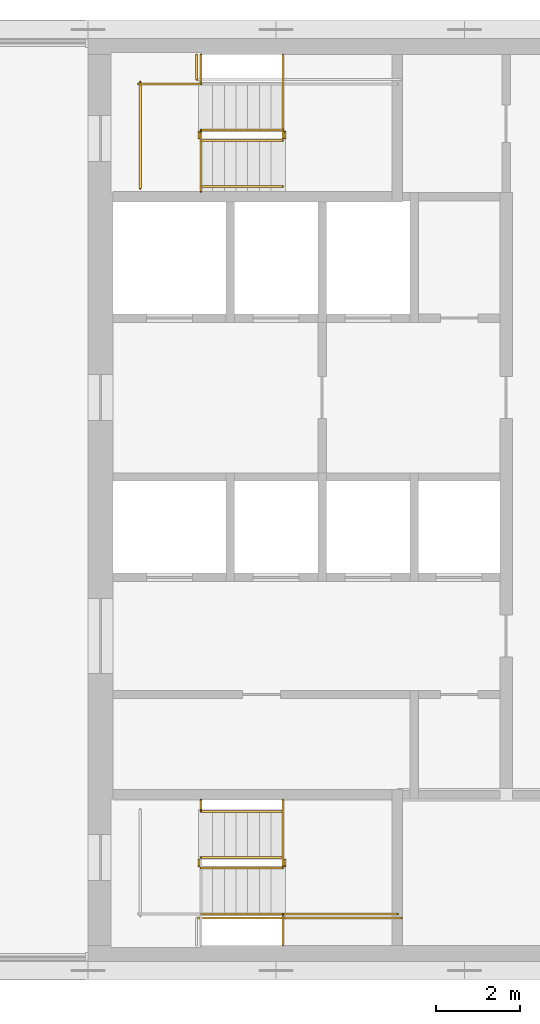
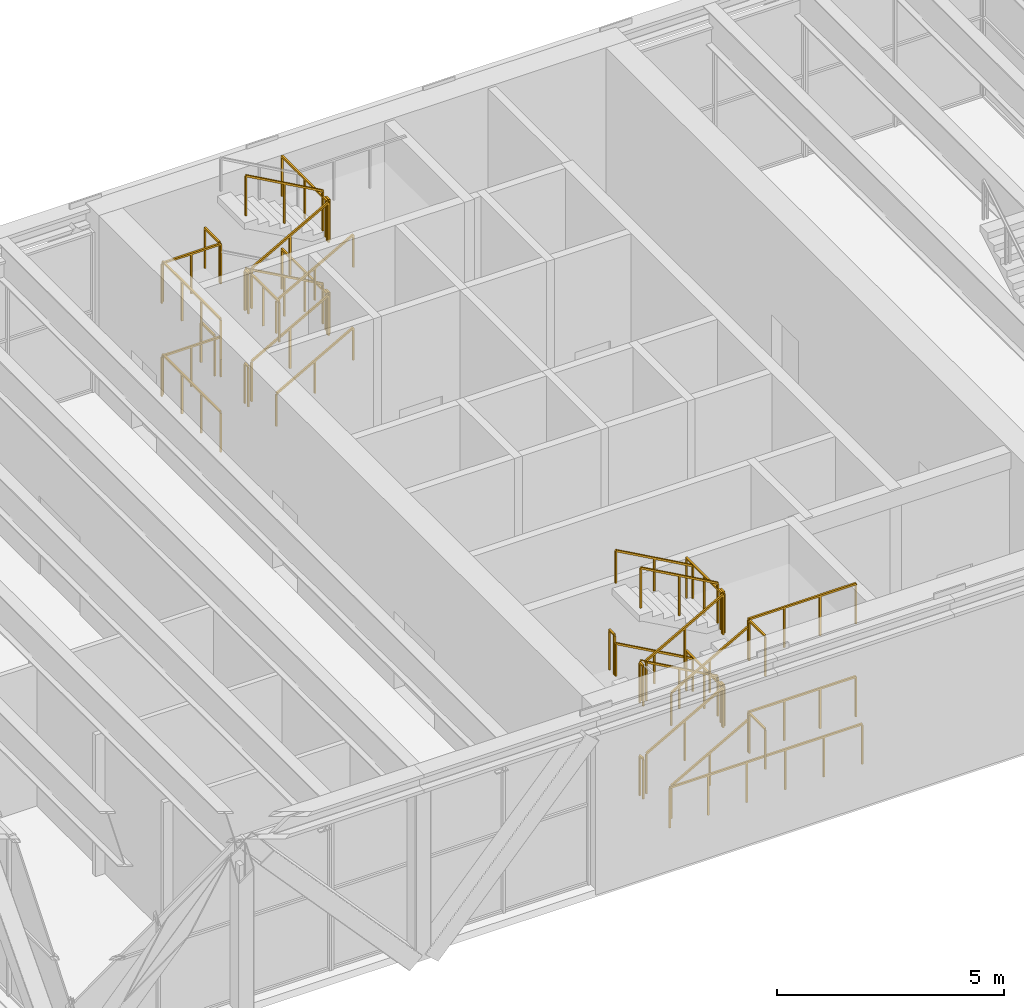
# One storey, part 11 of 13: 39 railings.
"""IFC4 building model written with IfcOpenShell, lengths in metres."""

from ifc_helpers import new_model, si_unit, direction, frame, origin, origin_2d, place, context, subcontext, project, spatial, rectangle, extrude, material, type_object, element, save


model = new_model("IFC4")

# Units and contexts
model_context = context("Model", 3, precision=1e-05, world=origin(), true_north=direction((0.0, 1.0)))
body_context = subcontext(model_context, "Body", "Model", "MODEL_VIEW")
ifc_project = project(units=[si_unit("LENGTHUNIT", "METRE"), si_unit("AREAUNIT", "SQUARE_METRE"), si_unit("VOLUMEUNIT", "CUBIC_METRE"), si_unit("PLANEANGLEUNIT", "RADIAN"), si_unit("MASSUNIT", "GRAM", prefix="KILO")], contexts=[model_context])

# Site, building, storey
site_placement = place(None, origin())
site = spatial("IfcSite", under=ifc_project, at=site_placement, CompositionType="ELEMENT")
building_placement = place(site_placement, origin())
building = spatial("IfcBuilding", under=site, at=building_placement, Name="Sennacour Bend Tower", CompositionType="ELEMENT")
storey_placement = place(building_placement, frame((0.0, 0.0, 345.5)))
storey = spatial("IfcBuildingStorey", under=building, at=storey_placement, Name="L79", CompositionType="ELEMENT", Elevation=345.5)

# Railings
ifc_material = material(Name="Stainless steel", Category="steel")
railing_type_1 = type_object("IfcRailingType", Name="RL-GUARD-1100", PredefinedType="GUARDRAIL", material=ifc_material)
railing_1_placement = place(storey_placement, frame((56.699951171875, 2.449951171875, 0.15625)))
element("IfcRailing", 1, at=railing_1_placement, inside=storey, type_object=railing_type_1, Name="L79 SA1 stair guard 1", PredefinedType="GUARDRAIL", context=body_context, shape_type="SweptSolid", body=[
    extrude(rectangle(XDim=0.048095703125, YDim=0.048095703125, at=origin_2d()), frame((0.0, 0.0, 1.076171875), z_axis=(0.873232148454, 0.0, 0.487304437602), x_axis=(0.0, 1.0, 0.0)), (0.0, 0.0, 1.0), 2.244384765625),
    extrude(rectangle(XDim=0.0419921875, YDim=0.0419921875, at=origin_2d()), origin(), (0.0, 0.0, 1.0), 1.052001953125),
    extrude(rectangle(XDim=0.0419921875, YDim=0.0419921875, at=origin_2d()), frame((0.97998046875, 0.0, 0.546875)), (0.0, 0.0, 1.0), 1.052001953125),
    extrude(rectangle(XDim=0.0419921875, YDim=0.0419921875, at=origin_2d()), frame((1.9599609375, 0.0, 1.09375)), (0.0, 0.0, 1.0), 1.052001953125),
])
railing_2_placement = place(storey_placement, frame((58.7099609375, 2.5, 1.25)))
element("IfcRailing", 2, at=railing_2_placement, inside=storey, type_object=railing_type_1, Name="L79 SA1 stair guard 2", PredefinedType="GUARDRAIL", context=body_context, shape_type="SweptSolid", body=[
    extrude(rectangle(XDim=0.048095703125, YDim=0.048095703125, at=origin_2d()), frame((0.0, 0.0, 1.076171875), z_axis=(0.0, 1.0, 0.0), x_axis=(-1.0, 0.0, 0.0)), (0.0, 0.0, 1.0), 0.14990234375),
    extrude(rectangle(XDim=0.0419921875, YDim=0.0419921875, at=origin_2d()), origin(), (0.0, 0.0, 1.0), 1.052001953125),
    extrude(rectangle(XDim=0.0419921875, YDim=0.0419921875, at=origin_2d()), frame((0.0, 0.14990234375, 0.0)), (0.0, 0.0, 1.0), 1.052001953125),
])
railing_3_placement = place(storey_placement, frame((58.659912109375, 1.35009765625, 1.25)))
element("IfcRailing", 3, at=railing_3_placement, inside=storey, type_object=railing_type_1, Name="L79 SA1 stair guard 3", PredefinedType="GUARDRAIL", context=body_context, shape_type="SweptSolid", body=[
    extrude(rectangle(XDim=0.048095703125, YDim=0.048095703125, at=origin_2d()), frame((0.0, 0.0, 1.076171875), z_axis=(1.0, 0.0, 0.0), x_axis=(0.0, 1.0, 0.0)), (0.0, 0.0, 1.0), 2.739990234375),
    extrude(rectangle(XDim=0.0419921875, YDim=0.0419921875, at=origin_2d()), origin(), (0.0, 0.0, 1.0), 1.052001953125),
    extrude(rectangle(XDim=0.0419921875, YDim=0.0419921875, at=origin_2d()), frame((0.913330078125, 0.0, 0.0)), (0.0, 0.0, 1.0), 1.052001953125),
    extrude(rectangle(XDim=0.0419921875, YDim=0.0419921875, at=origin_2d()), frame((1.82666015625, 0.0, 0.0)), (0.0, 0.0, 1.0), 1.052001953125),
    extrude(rectangle(XDim=0.0419921875, YDim=0.0419921875, at=origin_2d()), frame((2.739990234375, 0.0, 0.0)), (0.0, 0.0, 1.0), 1.052001953125),
])
railing_4_placement = place(storey_placement, frame((58.659912109375, 2.699951171875, 1.40625)))
element("IfcRailing", 4, at=railing_4_placement, inside=storey, type_object=railing_type_1, Name="L79 SA1 stair guard 4", PredefinedType="GUARDRAIL", context=body_context, shape_type="SweptSolid", body=[
    extrude(rectangle(XDim=0.048095703125, YDim=0.048095703125, at=origin_2d()), frame((0.0, 0.0, 1.076171875), z_axis=(-0.873232148454, 0.0, 0.487304437602), x_axis=(0.0, -1.0, 0.0)), (0.0, 0.0, 1.0), 2.244384765625),
    extrude(rectangle(XDim=0.0419921875, YDim=0.0419921875, at=origin_2d()), origin(), (0.0, 0.0, 1.0), 1.052001953125),
    extrude(rectangle(XDim=0.0419921875, YDim=0.0419921875, at=origin_2d()), frame((-0.97998046875, 0.0, 0.546875)), (0.0, 0.0, 1.0), 1.052001953125),
    extrude(rectangle(XDim=0.0419921875, YDim=0.0419921875, at=origin_2d()), frame((-1.9599609375, 0.0, 1.09375)), (0.0, 0.0, 1.0), 1.052001953125),
])
railing_5_placement = place(storey_placement, frame((56.64990234375, 2.5, 2.5)))
element("IfcRailing", 5, at=railing_5_placement, inside=storey, type_object=railing_type_1, Name="L79 SA1 stair guard 5", PredefinedType="GUARDRAIL", context=body_context, shape_type="SweptSolid", body=[
    extrude(rectangle(XDim=0.048095703125, YDim=0.048095703125, at=origin_2d()), frame((0.0, 0.0, 1.076171875), z_axis=(0.0, 1.0, 0.0), x_axis=(-1.0, 0.0, 0.0)), (0.0, 0.0, 1.0), 0.14990234375),
    extrude(rectangle(XDim=0.0419921875, YDim=0.0419921875, at=origin_2d()), origin(), (0.0, 0.0, 1.0), 1.052001953125),
    extrude(rectangle(XDim=0.0419921875, YDim=0.0419921875, at=origin_2d()), frame((0.0, 0.14990234375, 0.0)), (0.0, 0.0, 1.0), 1.052001953125),
])
railing_6_placement = place(storey_placement, frame((56.699951171875, 2.449951171875, 2.65625)))
element("IfcRailing", 6, at=railing_6_placement, inside=storey, type_object=railing_type_1, Name="L79 SA1 stair guard 8", PredefinedType="GUARDRAIL", context=body_context, shape_type="SweptSolid", body=[
    extrude(rectangle(XDim=0.048095703125, YDim=0.048095703125, at=origin_2d()), frame((0.0, 0.0, 1.076171875), z_axis=(0.873232148454, 0.0, 0.487304437602), x_axis=(0.0, 1.0, 0.0)), (0.0, 0.0, 1.0), 2.244384765625),
    extrude(rectangle(XDim=0.0419921875, YDim=0.0419921875, at=origin_2d()), origin(), (0.0, 0.0, 1.0), 1.052001953125),
    extrude(rectangle(XDim=0.0419921875, YDim=0.0419921875, at=origin_2d()), frame((0.97998046875, 0.0, 0.546875)), (0.0, 0.0, 1.0), 1.052001953125),
    extrude(rectangle(XDim=0.0419921875, YDim=0.0419921875, at=origin_2d()), frame((1.9599609375, 0.0, 1.09375)), (0.0, 0.0, 1.0), 1.052001953125),
])
railing_7_placement = place(storey_placement, frame((58.7099609375, 2.5, 3.75)))
element("IfcRailing", 7, at=railing_7_placement, inside=storey, type_object=railing_type_1, Name="L79 SA1 stair guard 9", PredefinedType="GUARDRAIL", context=body_context, shape_type="SweptSolid", body=[
    extrude(rectangle(XDim=0.048095703125, YDim=0.048095703125, at=origin_2d()), frame((0.0, 0.0, 1.076171875), z_axis=(0.0, 1.0, 0.0), x_axis=(-1.0, 0.0, 0.0)), (0.0, 0.0, 1.0), 0.14990234375),
    extrude(rectangle(XDim=0.0419921875, YDim=0.0419921875, at=origin_2d()), origin(), (0.0, 0.0, 1.0), 1.052001953125),
    extrude(rectangle(XDim=0.0419921875, YDim=0.0419921875, at=origin_2d()), frame((0.0, 0.14990234375, 0.0)), (0.0, 0.0, 1.0), 1.052001953125),
])
railing_8_placement = place(storey_placement, frame((58.659912109375, 1.35009765625, 3.75)))
element("IfcRailing", 8, at=railing_8_placement, inside=storey, type_object=railing_type_1, Name="L79 SA1 stair guard 10", PredefinedType="GUARDRAIL", context=body_context, shape_type="SweptSolid", body=[
    extrude(rectangle(XDim=0.048095703125, YDim=0.048095703125, at=origin_2d()), frame((0.0, 0.0, 1.076171875), z_axis=(1.0, 0.0, 0.0), x_axis=(0.0, 1.0, 0.0)), (0.0, 0.0, 1.0), 2.739990234375),
    extrude(rectangle(XDim=0.0419921875, YDim=0.0419921875, at=origin_2d()), origin(), (0.0, 0.0, 1.0), 1.052001953125),
    extrude(rectangle(XDim=0.0419921875, YDim=0.0419921875, at=origin_2d()), frame((0.913330078125, 0.0, 0.0)), (0.0, 0.0, 1.0), 1.052001953125),
    extrude(rectangle(XDim=0.0419921875, YDim=0.0419921875, at=origin_2d()), frame((1.82666015625, 0.0, 0.0)), (0.0, 0.0, 1.0), 1.052001953125),
    extrude(rectangle(XDim=0.0419921875, YDim=0.0419921875, at=origin_2d()), frame((2.739990234375, 0.0, 0.0)), (0.0, 0.0, 1.0), 1.052001953125),
])
railing_9_placement = place(storey_placement, frame((58.659912109375, 2.699951171875, 3.90625)))
element("IfcRailing", 9, at=railing_9_placement, inside=storey, type_object=railing_type_1, Name="L79 SA1 stair guard 11", PredefinedType="GUARDRAIL", context=body_context, shape_type="SweptSolid", body=[
    extrude(rectangle(XDim=0.048095703125, YDim=0.048095703125, at=origin_2d()), frame((0.0, 0.0, 1.076171875), z_axis=(-0.873232148454, 0.0, 0.487304437602), x_axis=(0.0, -1.0, 0.0)), (0.0, 0.0, 1.0), 2.244384765625),
    extrude(rectangle(XDim=0.0419921875, YDim=0.0419921875, at=origin_2d()), origin(), (0.0, 0.0, 1.0), 1.052001953125),
    extrude(rectangle(XDim=0.0419921875, YDim=0.0419921875, at=origin_2d()), frame((-0.97998046875, 0.0, 0.546875)), (0.0, 0.0, 1.0), 1.052001953125),
    extrude(rectangle(XDim=0.0419921875, YDim=0.0419921875, at=origin_2d()), frame((-1.9599609375, 0.0, 1.09375)), (0.0, 0.0, 1.0), 1.052001953125),
])
railing_10_placement = place(storey_placement, frame((56.64990234375, 2.5, 0.0)))
element("IfcRailing", 10, at=railing_10_placement, inside=storey, type_object=railing_type_1, Name="L79 SA1 stair guard 12", PredefinedType="GUARDRAIL", context=body_context, shape_type="SweptSolid", body=[
    extrude(rectangle(XDim=0.048095703125, YDim=0.048095703125, at=origin_2d()), frame((0.0, 0.0, 1.076171875), z_axis=(0.0, 1.0, 0.0), x_axis=(-1.0, 0.0, 0.0)), (0.0, 0.0, 1.0), 0.14990234375),
    extrude(rectangle(XDim=0.0419921875, YDim=0.0419921875, at=origin_2d()), origin(), (0.0, 0.0, 1.0), 1.052001953125),
    extrude(rectangle(XDim=0.0419921875, YDim=0.0419921875, at=origin_2d()), frame((0.0, 0.14990234375, 0.0)), (0.0, 0.0, 1.0), 1.052001953125),
])
railing_11_placement = place(storey_placement, frame((56.60009765625, 1.25, 0.0)))
element("IfcRailing", 11, at=railing_11_placement, inside=storey, type_object=railing_type_1, Name="L79 SA1 stair guard 15", PredefinedType="GUARDRAIL", context=body_context, shape_type="SweptSolid", body=[
    extrude(rectangle(XDim=0.048095703125, YDim=0.048095703125, at=origin_2d()), frame((0.0, 0.0, 1.076171875), z_axis=(1.0, 0.0, 0.0), x_axis=(0.0, 1.0, 0.0)), (0.0, 0.0, 1.0), 4.89990234375),
    extrude(rectangle(XDim=0.0419921875, YDim=0.0419921875, at=origin_2d()), origin(), (0.0, 0.0, 1.0), 1.052001953125),
    extrude(rectangle(XDim=0.0419921875, YDim=0.0419921875, at=origin_2d()), frame((0.97998046875, 0.0, 0.0)), (0.0, 0.0, 1.0), 1.052001953125),
    extrude(rectangle(XDim=0.0419921875, YDim=0.0419921875, at=origin_2d()), frame((1.9599609375, 0.0, 0.0)), (0.0, 0.0, 1.0), 1.052001953125),
    extrude(rectangle(XDim=0.0419921875, YDim=0.0419921875, at=origin_2d()), frame((2.93994140625, 0.0, 0.0)), (0.0, 0.0, 1.0), 1.052001953125),
    extrude(rectangle(XDim=0.0419921875, YDim=0.0419921875, at=origin_2d()), frame((3.919921875, 0.0, 0.0)), (0.0, 0.0, 1.0), 1.052001953125),
    extrude(rectangle(XDim=0.0419921875, YDim=0.0419921875, at=origin_2d()), frame((4.89990234375, 0.0, 0.0)), (0.0, 0.0, 1.0), 1.052001953125),
])
railing_12_placement = place(storey_placement, frame((58.659912109375, 0.60009765625, 1.25)))
element("IfcRailing", 12, at=railing_12_placement, inside=storey, type_object=railing_type_1, Name="L79 SA1 landing edge guard 131", PredefinedType="GUARDRAIL", context=body_context, shape_type="SweptSolid", body=[
    extrude(rectangle(XDim=0.048095703125, YDim=0.048095703125, at=origin_2d()), frame((0.0, 0.0, 1.076171875), z_axis=(0.0, 1.0, 0.0), x_axis=(-1.0, 0.0, 0.0)), (0.0, 0.0, 1.0), 0.699951171875),
    extrude(rectangle(XDim=0.0419921875, YDim=0.0419921875, at=origin_2d()), origin(), (0.0, 0.0, 1.0), 1.052001953125),
    extrude(rectangle(XDim=0.0419921875, YDim=0.0419921875, at=origin_2d()), frame((0.0, 0.699951171875, 0.0)), (0.0, 0.0, 1.0), 1.052001953125),
])
railing_13_placement = place(storey_placement, frame((58.659912109375, 2.5, 1.25)))
element("IfcRailing", 13, at=railing_13_placement, inside=storey, type_object=railing_type_1, Name="L79 SA1 landing edge guard 132", PredefinedType="GUARDRAIL", context=body_context, shape_type="SweptSolid", body=[
    extrude(rectangle(XDim=0.048095703125, YDim=0.048095703125, at=origin_2d()), frame((0.0, 0.0, 1.076171875), z_axis=(0.0, 1.0, 0.0), x_axis=(-1.0, 0.0, 0.0)), (0.0, 0.0, 1.0), 1.574951171875),
    extrude(rectangle(XDim=0.0419921875, YDim=0.0419921875, at=origin_2d()), origin(), (0.0, 0.0, 1.0), 1.052001953125),
    extrude(rectangle(XDim=0.0419921875, YDim=0.0419921875, at=origin_2d()), frame((0.0, 0.78759765625, 0.0)), (0.0, 0.0, 1.0), 1.052001953125),
    extrude(rectangle(XDim=0.0419921875, YDim=0.0419921875, at=origin_2d()), frame((0.0, 1.574951171875, 0.0)), (0.0, 0.0, 1.0), 1.052001953125),
])
railing_14_placement = place(storey_placement, frame((56.699951171875, 4.074951171875, 2.5)))
element("IfcRailing", 14, at=railing_14_placement, inside=storey, type_object=railing_type_1, Name="L79 SA1 landing edge guard 133", PredefinedType="GUARDRAIL", context=body_context, shape_type="SweptSolid", body=[
    extrude(rectangle(XDim=0.048095703125, YDim=0.048095703125, at=origin_2d()), frame((0.0, 0.0, 1.076171875), z_axis=(0.0, -1.0, 0.0), x_axis=(1.0, 0.0, 0.0)), (0.0, 0.0, 1.0), 0.224853515625),
    extrude(rectangle(XDim=0.0419921875, YDim=0.0419921875, at=origin_2d()), origin(), (0.0, 0.0, 1.0), 1.052001953125),
    extrude(rectangle(XDim=0.0419921875, YDim=0.0419921875, at=origin_2d()), frame((0.0, -0.224853515625, 0.0)), (0.0, 0.0, 1.0), 1.052001953125),
])
railing_15_placement = place(storey_placement, frame((58.659912109375, 0.60009765625, 3.75)))
element("IfcRailing", 15, at=railing_15_placement, inside=storey, type_object=railing_type_1, Name="L79 SA1 landing edge guard 135", PredefinedType="GUARDRAIL", context=body_context, shape_type="SweptSolid", body=[
    extrude(rectangle(XDim=0.048095703125, YDim=0.048095703125, at=origin_2d()), frame((0.0, 0.0, 1.076171875), z_axis=(0.0, 1.0, 0.0), x_axis=(-1.0, 0.0, 0.0)), (0.0, 0.0, 1.0), 0.699951171875),
    extrude(rectangle(XDim=0.0419921875, YDim=0.0419921875, at=origin_2d()), origin(), (0.0, 0.0, 1.0), 1.052001953125),
    extrude(rectangle(XDim=0.0419921875, YDim=0.0419921875, at=origin_2d()), frame((0.0, 0.699951171875, 0.0)), (0.0, 0.0, 1.0), 1.052001953125),
])
railing_16_placement = place(storey_placement, frame((58.659912109375, 2.5, 3.75)))
element("IfcRailing", 16, at=railing_16_placement, inside=storey, type_object=railing_type_1, Name="L79 SA1 landing edge guard 136", PredefinedType="GUARDRAIL", context=body_context, shape_type="SweptSolid", body=[
    extrude(rectangle(XDim=0.048095703125, YDim=0.048095703125, at=origin_2d()), frame((0.0, 0.0, 1.076171875), z_axis=(0.0, 1.0, 0.0), x_axis=(-1.0, 0.0, 0.0)), (0.0, 0.0, 1.0), 1.574951171875),
    extrude(rectangle(XDim=0.0419921875, YDim=0.0419921875, at=origin_2d()), origin(), (0.0, 0.0, 1.0), 1.052001953125),
    extrude(rectangle(XDim=0.0419921875, YDim=0.0419921875, at=origin_2d()), frame((0.0, 0.78759765625, 0.0)), (0.0, 0.0, 1.0), 1.052001953125),
    extrude(rectangle(XDim=0.0419921875, YDim=0.0419921875, at=origin_2d()), frame((0.0, 1.574951171875, 0.0)), (0.0, 0.0, 1.0), 1.052001953125),
])
railing_17_placement = place(storey_placement, frame((56.699951171875, 19.85009765625, 0.15625)))
element("IfcRailing", 17, at=railing_17_placement, inside=storey, type_object=railing_type_1, Name="L79 SA2 stair guard 1", PredefinedType="GUARDRAIL", context=body_context, shape_type="SweptSolid", body=[
    extrude(rectangle(XDim=0.048095703125, YDim=0.048095703125, at=origin_2d()), frame((0.0, 0.0, 1.076171875), z_axis=(0.873232148454, 0.0, 0.487304437602), x_axis=(0.0, 1.0, 0.0)), (0.0, 0.0, 1.0), 2.244384765625),
    extrude(rectangle(XDim=0.0419921875, YDim=0.0419921875, at=origin_2d()), origin(), (0.0, 0.0, 1.0), 1.052001953125),
    extrude(rectangle(XDim=0.0419921875, YDim=0.0419921875, at=origin_2d()), frame((0.97998046875, 0.0, 0.546875)), (0.0, 0.0, 1.0), 1.052001953125),
    extrude(rectangle(XDim=0.0419921875, YDim=0.0419921875, at=origin_2d()), frame((1.9599609375, 0.0, 1.09375)), (0.0, 0.0, 1.0), 1.052001953125),
])
railing_18_placement = place(storey_placement, frame((58.7099609375, 19.89990234375, 1.25)))
element("IfcRailing", 18, at=railing_18_placement, inside=storey, type_object=railing_type_1, Name="L79 SA2 stair guard 2", PredefinedType="GUARDRAIL", context=body_context, shape_type="SweptSolid", body=[
    extrude(rectangle(XDim=0.048095703125, YDim=0.048095703125, at=origin_2d()), frame((0.0, 0.0, 1.076171875), z_axis=(0.0, 1.0, 0.0), x_axis=(-1.0, 0.0, 0.0)), (0.0, 0.0, 1.0), 0.150146484375),
    extrude(rectangle(XDim=0.0419921875, YDim=0.0419921875, at=origin_2d()), origin(), (0.0, 0.0, 1.0), 1.052001953125),
    extrude(rectangle(XDim=0.0419921875, YDim=0.0419921875, at=origin_2d()), frame((0.0, 0.150146484375, 0.0)), (0.0, 0.0, 1.0), 1.052001953125),
])
railing_19_placement = place(storey_placement, frame((58.659912109375, 20.10009765625, 1.40625)))
element("IfcRailing", 19, at=railing_19_placement, inside=storey, type_object=railing_type_1, Name="L79 SA2 stair guard 4", PredefinedType="GUARDRAIL", context=body_context, shape_type="SweptSolid", body=[
    extrude(rectangle(XDim=0.048095703125, YDim=0.048095703125, at=origin_2d()), frame((0.0, 0.0, 1.076171875), z_axis=(-0.873232148454, 0.0, 0.487304437602), x_axis=(0.0, -1.0, 0.0)), (0.0, 0.0, 1.0), 2.244384765625),
    extrude(rectangle(XDim=0.0419921875, YDim=0.0419921875, at=origin_2d()), origin(), (0.0, 0.0, 1.0), 1.052001953125),
    extrude(rectangle(XDim=0.0419921875, YDim=0.0419921875, at=origin_2d()), frame((-0.97998046875, 0.0, 0.546875)), (0.0, 0.0, 1.0), 1.052001953125),
    extrude(rectangle(XDim=0.0419921875, YDim=0.0419921875, at=origin_2d()), frame((-1.9599609375, 0.0, 1.09375)), (0.0, 0.0, 1.0), 1.052001953125),
])
railing_20_placement = place(storey_placement, frame((56.64990234375, 19.89990234375, 2.5)))
element("IfcRailing", 20, at=railing_20_placement, inside=storey, type_object=railing_type_1, Name="L79 SA2 stair guard 5", PredefinedType="GUARDRAIL", context=body_context, shape_type="SweptSolid", body=[
    extrude(rectangle(XDim=0.048095703125, YDim=0.048095703125, at=origin_2d()), frame((0.0, 0.0, 1.076171875), z_axis=(0.0, 1.0, 0.0), x_axis=(-1.0, 0.0, 0.0)), (0.0, 0.0, 1.0), 0.150146484375),
    extrude(rectangle(XDim=0.0419921875, YDim=0.0419921875, at=origin_2d()), origin(), (0.0, 0.0, 1.0), 1.052001953125),
    extrude(rectangle(XDim=0.0419921875, YDim=0.0419921875, at=origin_2d()), frame((0.0, 0.150146484375, 0.0)), (0.0, 0.0, 1.0), 1.052001953125),
])
railing_21_placement = place(storey_placement, frame((55.199951171875, 21.199951171875, 2.5)))
element("IfcRailing", 21, at=railing_21_placement, inside=storey, type_object=railing_type_1, Name="L79 SA2 stair guard 6", PredefinedType="GUARDRAIL", context=body_context, shape_type="SweptSolid", body=[
    extrude(rectangle(XDim=0.048095703125, YDim=0.048095703125, at=origin_2d()), frame((0.0, 0.0, 1.076171875), z_axis=(1.0, 0.0, 0.0), x_axis=(0.0, 1.0, 0.0)), (0.0, 0.0, 1.0), 1.5),
    extrude(rectangle(XDim=0.0419921875, YDim=0.0419921875, at=origin_2d()), origin(), (0.0, 0.0, 1.0), 1.052001953125),
    extrude(rectangle(XDim=0.0419921875, YDim=0.0419921875, at=origin_2d()), frame((0.75, 0.0, 0.0)), (0.0, 0.0, 1.0), 1.052001953125),
    extrude(rectangle(XDim=0.0419921875, YDim=0.0419921875, at=origin_2d()), frame((1.5, 0.0, 0.0)), (0.0, 0.0, 1.0), 1.052001953125),
])
railing_22_placement = place(storey_placement, frame((55.25, 18.699951171875, 2.5)))
element("IfcRailing", 22, at=railing_22_placement, inside=storey, type_object=railing_type_1, Name="L79 SA2 stair guard 7", PredefinedType="GUARDRAIL", context=body_context, shape_type="SweptSolid", body=[
    extrude(rectangle(XDim=0.048095703125, YDim=0.048095703125, at=origin_2d()), frame((0.0, 0.0, 1.076171875), z_axis=(0.0, 1.0, 0.0), x_axis=(-1.0, 0.0, 0.0)), (0.0, 0.0, 1.0), 2.550048828125),
    extrude(rectangle(XDim=0.0419921875, YDim=0.0419921875, at=origin_2d()), origin(), (0.0, 0.0, 1.0), 1.052001953125),
    extrude(rectangle(XDim=0.0419921875, YDim=0.0419921875, at=origin_2d()), frame((0.0, 0.85009765625, 0.0)), (0.0, 0.0, 1.0), 1.052001953125),
    extrude(rectangle(XDim=0.0419921875, YDim=0.0419921875, at=origin_2d()), frame((0.0, 1.699951171875, 0.0)), (0.0, 0.0, 1.0), 1.052001953125),
    extrude(rectangle(XDim=0.0419921875, YDim=0.0419921875, at=origin_2d()), frame((0.0, 2.550048828125, 0.0)), (0.0, 0.0, 1.0), 1.052001953125),
])
railing_23_placement = place(storey_placement, frame((56.699951171875, 19.85009765625, 2.65625)))
element("IfcRailing", 23, at=railing_23_placement, inside=storey, type_object=railing_type_1, Name="L79 SA2 stair guard 8", PredefinedType="GUARDRAIL", context=body_context, shape_type="SweptSolid", body=[
    extrude(rectangle(XDim=0.048095703125, YDim=0.048095703125, at=origin_2d()), frame((0.0, 0.0, 1.076171875), z_axis=(0.873232148454, 0.0, 0.487304437602), x_axis=(0.0, 1.0, 0.0)), (0.0, 0.0, 1.0), 2.244384765625),
    extrude(rectangle(XDim=0.0419921875, YDim=0.0419921875, at=origin_2d()), origin(), (0.0, 0.0, 1.0), 1.052001953125),
    extrude(rectangle(XDim=0.0419921875, YDim=0.0419921875, at=origin_2d()), frame((0.97998046875, 0.0, 0.546875)), (0.0, 0.0, 1.0), 1.052001953125),
    extrude(rectangle(XDim=0.0419921875, YDim=0.0419921875, at=origin_2d()), frame((1.9599609375, 0.0, 1.09375)), (0.0, 0.0, 1.0), 1.052001953125),
])
railing_24_placement = place(storey_placement, frame((58.7099609375, 19.89990234375, 3.75)))
element("IfcRailing", 24, at=railing_24_placement, inside=storey, type_object=railing_type_1, Name="L79 SA2 stair guard 9", PredefinedType="GUARDRAIL", context=body_context, shape_type="SweptSolid", body=[
    extrude(rectangle(XDim=0.048095703125, YDim=0.048095703125, at=origin_2d()), frame((0.0, 0.0, 1.076171875), z_axis=(0.0, 1.0, 0.0), x_axis=(-1.0, 0.0, 0.0)), (0.0, 0.0, 1.0), 0.150146484375),
    extrude(rectangle(XDim=0.0419921875, YDim=0.0419921875, at=origin_2d()), origin(), (0.0, 0.0, 1.0), 1.052001953125),
    extrude(rectangle(XDim=0.0419921875, YDim=0.0419921875, at=origin_2d()), frame((0.0, 0.150146484375, 0.0)), (0.0, 0.0, 1.0), 1.052001953125),
])
railing_25_placement = place(storey_placement, frame((58.659912109375, 20.10009765625, 3.90625)))
element("IfcRailing", 25, at=railing_25_placement, inside=storey, type_object=railing_type_1, Name="L79 SA2 stair guard 11", PredefinedType="GUARDRAIL", context=body_context, shape_type="SweptSolid", body=[
    extrude(rectangle(XDim=0.048095703125, YDim=0.048095703125, at=origin_2d()), frame((0.0, 0.0, 1.076171875), z_axis=(-0.873232148454, 0.0, 0.487304437602), x_axis=(0.0, -1.0, 0.0)), (0.0, 0.0, 1.0), 2.244384765625),
    extrude(rectangle(XDim=0.0419921875, YDim=0.0419921875, at=origin_2d()), origin(), (0.0, 0.0, 1.0), 1.052001953125),
    extrude(rectangle(XDim=0.0419921875, YDim=0.0419921875, at=origin_2d()), frame((-0.97998046875, 0.0, 0.546875)), (0.0, 0.0, 1.0), 1.052001953125),
    extrude(rectangle(XDim=0.0419921875, YDim=0.0419921875, at=origin_2d()), frame((-1.9599609375, 0.0, 1.09375)), (0.0, 0.0, 1.0), 1.052001953125),
])
railing_26_placement = place(storey_placement, frame((56.64990234375, 19.89990234375, 0.0)))
element("IfcRailing", 26, at=railing_26_placement, inside=storey, type_object=railing_type_1, Name="L79 SA2 stair guard 12", PredefinedType="GUARDRAIL", context=body_context, shape_type="SweptSolid", body=[
    extrude(rectangle(XDim=0.048095703125, YDim=0.048095703125, at=origin_2d()), frame((0.0, 0.0, 1.076171875), z_axis=(0.0, 1.0, 0.0), x_axis=(-1.0, 0.0, 0.0)), (0.0, 0.0, 1.0), 0.150146484375),
    extrude(rectangle(XDim=0.0419921875, YDim=0.0419921875, at=origin_2d()), origin(), (0.0, 0.0, 1.0), 1.052001953125),
    extrude(rectangle(XDim=0.0419921875, YDim=0.0419921875, at=origin_2d()), frame((0.0, 0.150146484375, 0.0)), (0.0, 0.0, 1.0), 1.052001953125),
])
railing_27_placement = place(storey_placement, frame((55.199951171875, 21.199951171875, 0.0)))
element("IfcRailing", 27, at=railing_27_placement, inside=storey, type_object=railing_type_1, Name="L79 SA2 stair guard 13", PredefinedType="GUARDRAIL", context=body_context, shape_type="SweptSolid", body=[
    extrude(rectangle(XDim=0.048095703125, YDim=0.048095703125, at=origin_2d()), frame((0.0, 0.0, 1.076171875), z_axis=(1.0, 0.0, 0.0), x_axis=(0.0, 1.0, 0.0)), (0.0, 0.0, 1.0), 1.5),
    extrude(rectangle(XDim=0.0419921875, YDim=0.0419921875, at=origin_2d()), origin(), (0.0, 0.0, 1.0), 1.052001953125),
    extrude(rectangle(XDim=0.0419921875, YDim=0.0419921875, at=origin_2d()), frame((0.75, 0.0, 0.0)), (0.0, 0.0, 1.0), 1.052001953125),
    extrude(rectangle(XDim=0.0419921875, YDim=0.0419921875, at=origin_2d()), frame((1.5, 0.0, 0.0)), (0.0, 0.0, 1.0), 1.052001953125),
])
railing_28_placement = place(storey_placement, frame((55.25, 18.699951171875, 0.0)))
element("IfcRailing", 28, at=railing_28_placement, inside=storey, type_object=railing_type_1, Name="L79 SA2 stair guard 14", PredefinedType="GUARDRAIL", context=body_context, shape_type="SweptSolid", body=[
    extrude(rectangle(XDim=0.048095703125, YDim=0.048095703125, at=origin_2d()), frame((0.0, 0.0, 1.076171875), z_axis=(0.0, 1.0, 0.0), x_axis=(-1.0, 0.0, 0.0)), (0.0, 0.0, 1.0), 2.550048828125),
    extrude(rectangle(XDim=0.0419921875, YDim=0.0419921875, at=origin_2d()), origin(), (0.0, 0.0, 1.0), 1.052001953125),
    extrude(rectangle(XDim=0.0419921875, YDim=0.0419921875, at=origin_2d()), frame((0.0, 0.85009765625, 0.0)), (0.0, 0.0, 1.0), 1.052001953125),
    extrude(rectangle(XDim=0.0419921875, YDim=0.0419921875, at=origin_2d()), frame((0.0, 1.699951171875, 0.0)), (0.0, 0.0, 1.0), 1.052001953125),
    extrude(rectangle(XDim=0.0419921875, YDim=0.0419921875, at=origin_2d()), frame((0.0, 2.550048828125, 0.0)), (0.0, 0.0, 1.0), 1.052001953125),
])
railing_29_placement = place(storey_placement, frame((58.659912109375, 19.89990234375, 1.25)))
element("IfcRailing", 29, at=railing_29_placement, inside=storey, type_object=railing_type_1, Name="L79 SA2 landing edge guard 102", PredefinedType="GUARDRAIL", context=body_context, shape_type="SweptSolid", body=[
    extrude(rectangle(XDim=0.048095703125, YDim=0.048095703125, at=origin_2d()), frame((0.0, 0.0, 1.076171875), z_axis=(0.0, 1.0, 0.0), x_axis=(-1.0, 0.0, 0.0)), (0.0, 0.0, 1.0), 2.0),
    extrude(rectangle(XDim=0.0419921875, YDim=0.0419921875, at=origin_2d()), origin(), (0.0, 0.0, 1.0), 1.052001953125),
    extrude(rectangle(XDim=0.0419921875, YDim=0.0419921875, at=origin_2d()), frame((0.0, 1.0, 0.0)), (0.0, 0.0, 1.0), 1.052001953125),
    extrude(rectangle(XDim=0.0419921875, YDim=0.0419921875, at=origin_2d()), frame((0.0, 2.0, 0.0)), (0.0, 0.0, 1.0), 1.052001953125),
])
railing_30_placement = place(storey_placement, frame((56.699951171875, 21.89990234375, 2.5)))
element("IfcRailing", 30, at=railing_30_placement, inside=storey, type_object=railing_type_1, Name="L79 SA2 landing edge guard 103", PredefinedType="GUARDRAIL", context=body_context, shape_type="SweptSolid", body=[
    extrude(rectangle(XDim=0.048095703125, YDim=0.048095703125, at=origin_2d()), frame((0.0, 0.0, 1.076171875), z_axis=(0.0, -1.0, 0.0), x_axis=(1.0, 0.0, 0.0)), (0.0, 0.0, 1.0), 0.64990234375),
    extrude(rectangle(XDim=0.0419921875, YDim=0.0419921875, at=origin_2d()), origin(), (0.0, 0.0, 1.0), 1.052001953125),
    extrude(rectangle(XDim=0.0419921875, YDim=0.0419921875, at=origin_2d()), frame((0.0, -0.64990234375, 0.0)), (0.0, 0.0, 1.0), 1.052001953125),
])
railing_31_placement = place(storey_placement, frame((56.699951171875, 20.050048828125, 2.5)))
element("IfcRailing", 31, at=railing_31_placement, inside=storey, type_object=railing_type_1, Name="L79 SA2 landing edge guard 104", PredefinedType="GUARDRAIL", context=body_context, shape_type="SweptSolid", body=[
    extrude(rectangle(XDim=0.048095703125, YDim=0.048095703125, at=origin_2d()), frame((0.0, 0.0, 1.076171875), z_axis=(0.0, -1.0, 0.0), x_axis=(1.0, 0.0, 0.0)), (0.0, 0.0, 1.0), 1.425048828125),
    extrude(rectangle(XDim=0.0419921875, YDim=0.0419921875, at=origin_2d()), origin(), (0.0, 0.0, 1.0), 1.052001953125),
    extrude(rectangle(XDim=0.0419921875, YDim=0.0419921875, at=origin_2d()), frame((0.0, -0.71240234375, 0.0)), (0.0, 0.0, 1.0), 1.052001953125),
    extrude(rectangle(XDim=0.0419921875, YDim=0.0419921875, at=origin_2d()), frame((0.0, -1.425048828125, 0.0)), (0.0, 0.0, 1.0), 1.052001953125),
])
railing_32_placement = place(storey_placement, frame((58.659912109375, 19.89990234375, 3.75)))
element("IfcRailing", 32, at=railing_32_placement, inside=storey, type_object=railing_type_1, Name="L79 SA2 landing edge guard 105", PredefinedType="GUARDRAIL", context=body_context, shape_type="SweptSolid", body=[
    extrude(rectangle(XDim=0.048095703125, YDim=0.048095703125, at=origin_2d()), frame((0.0, 0.0, 1.076171875), z_axis=(0.0, 1.0, 0.0), x_axis=(-1.0, 0.0, 0.0)), (0.0, 0.0, 1.0), 2.0),
    extrude(rectangle(XDim=0.0419921875, YDim=0.0419921875, at=origin_2d()), origin(), (0.0, 0.0, 1.0), 1.052001953125),
    extrude(rectangle(XDim=0.0419921875, YDim=0.0419921875, at=origin_2d()), frame((0.0, 1.0, 0.0)), (0.0, 0.0, 1.0), 1.052001953125),
    extrude(rectangle(XDim=0.0419921875, YDim=0.0419921875, at=origin_2d()), frame((0.0, 2.0, 0.0)), (0.0, 0.0, 1.0), 1.052001953125),
])
railing_33_placement = place(storey_placement, frame((56.60009765625, 21.300048828125, 0.0)))
element("IfcRailing", 33, at=railing_33_placement, inside=storey, type_object=railing_type_1, Name="L79 SA2 landing edge guard 133", PredefinedType="GUARDRAIL", context=body_context, shape_type="SweptSolid", body=[
    extrude(rectangle(XDim=0.048095703125, YDim=0.048095703125, at=origin_2d()), frame((0.0, 0.0, 1.076171875), z_axis=(0.0, 1.0, 0.0), x_axis=(-1.0, 0.0, 0.0)), (0.0, 0.0, 1.0), 0.599853515625),
    extrude(rectangle(XDim=0.0419921875, YDim=0.0419921875, at=origin_2d()), origin(), (0.0, 0.0, 1.0), 1.052001953125),
    extrude(rectangle(XDim=0.0419921875, YDim=0.0419921875, at=origin_2d()), frame((0.0, 0.599853515625, 0.0)), (0.0, 0.0, 1.0), 1.052001953125),
])
railing_type_2 = type_object("IfcRailingType", Name="RL-HANDRAIL-900", PredefinedType="HANDRAIL", material=ifc_material)
railing_34_placement = place(storey_placement, frame((56.699951171875, 1.35009765625, 0.15625)))
element("IfcRailing", 34, at=railing_34_placement, inside=storey, type_object=railing_type_2, Name="L79 SA1 stair handrail 1", PredefinedType="HANDRAIL", context=body_context, shape_type="SweptSolid", body=[
    extrude(rectangle(XDim=0.048095703125, YDim=0.048095703125, at=origin_2d()), frame((0.0, 0.0, 0.8759765625), z_axis=(0.873232148454, 0.0, 0.487304437602), x_axis=(0.0, 1.0, 0.0)), (0.0, 0.0, 1.0), 2.244384765625),
    extrude(rectangle(XDim=0.0419921875, YDim=0.0419921875, at=origin_2d()), origin(), (0.0, 0.0, 1.0), 0.851806640625),
    extrude(rectangle(XDim=0.0419921875, YDim=0.0419921875, at=origin_2d()), frame((0.97998046875, 0.0, 0.546875)), (0.0, 0.0, 1.0), 0.851806640625),
    extrude(rectangle(XDim=0.0419921875, YDim=0.0419921875, at=origin_2d()), frame((1.9599609375, 0.0, 1.09375)), (0.0, 0.0, 1.0), 0.851806640625),
])
railing_35_placement = place(storey_placement, frame((58.659912109375, 3.800048828125, 1.40625)))
element("IfcRailing", 35, at=railing_35_placement, inside=storey, type_object=railing_type_2, Name="L79 SA1 stair handrail 2", PredefinedType="HANDRAIL", context=body_context, shape_type="SweptSolid", body=[
    extrude(rectangle(XDim=0.048095703125, YDim=0.048095703125, at=origin_2d()), frame((0.0, 0.0, 0.8759765625), z_axis=(-0.873232148454, 0.0, 0.487304437602), x_axis=(0.0, -1.0, 0.0)), (0.0, 0.0, 1.0), 2.244384765625),
    extrude(rectangle(XDim=0.0419921875, YDim=0.0419921875, at=origin_2d()), origin(), (0.0, 0.0, 1.0), 0.851806640625),
    extrude(rectangle(XDim=0.0419921875, YDim=0.0419921875, at=origin_2d()), frame((-0.97998046875, 0.0, 0.546875)), (0.0, 0.0, 1.0), 0.851806640625),
    extrude(rectangle(XDim=0.0419921875, YDim=0.0419921875, at=origin_2d()), frame((-1.9599609375, 0.0, 1.09375)), (0.0, 0.0, 1.0), 0.851806640625),
])
railing_36_placement = place(storey_placement, frame((56.699951171875, 1.35009765625, 2.65625)))
element("IfcRailing", 36, at=railing_36_placement, inside=storey, type_object=railing_type_2, Name="L79 SA1 stair handrail 3", PredefinedType="HANDRAIL", context=body_context, shape_type="SweptSolid", body=[
    extrude(rectangle(XDim=0.048095703125, YDim=0.048095703125, at=origin_2d()), frame((0.0, 0.0, 0.8759765625), z_axis=(0.873232148454, 0.0, 0.487304437602), x_axis=(0.0, 1.0, 0.0)), (0.0, 0.0, 1.0), 2.244384765625),
    extrude(rectangle(XDim=0.0419921875, YDim=0.0419921875, at=origin_2d()), origin(), (0.0, 0.0, 1.0), 0.851806640625),
    extrude(rectangle(XDim=0.0419921875, YDim=0.0419921875, at=origin_2d()), frame((0.97998046875, 0.0, 0.546875)), (0.0, 0.0, 1.0), 0.851806640625),
    extrude(rectangle(XDim=0.0419921875, YDim=0.0419921875, at=origin_2d()), frame((1.9599609375, 0.0, 1.09375)), (0.0, 0.0, 1.0), 0.851806640625),
])
railing_37_placement = place(storey_placement, frame((58.659912109375, 3.800048828125, 3.90625)))
element("IfcRailing", 37, at=railing_37_placement, inside=storey, type_object=railing_type_2, Name="L79 SA1 stair handrail 4", PredefinedType="HANDRAIL", context=body_context, shape_type="SweptSolid", body=[
    extrude(rectangle(XDim=0.048095703125, YDim=0.048095703125, at=origin_2d()), frame((0.0, 0.0, 0.8759765625), z_axis=(-0.873232148454, 0.0, 0.487304437602), x_axis=(0.0, -1.0, 0.0)), (0.0, 0.0, 1.0), 2.244384765625),
    extrude(rectangle(XDim=0.0419921875, YDim=0.0419921875, at=origin_2d()), origin(), (0.0, 0.0, 1.0), 0.851806640625),
    extrude(rectangle(XDim=0.0419921875, YDim=0.0419921875, at=origin_2d()), frame((-0.97998046875, 0.0, 0.546875)), (0.0, 0.0, 1.0), 0.851806640625),
    extrude(rectangle(XDim=0.0419921875, YDim=0.0419921875, at=origin_2d()), frame((-1.9599609375, 0.0, 1.09375)), (0.0, 0.0, 1.0), 0.851806640625),
])
for number, where, name in (
    (38, (56.699951171875, 18.75, 0.15625), "L79 SA2 stair handrail 1"),
    (39, (56.699951171875, 18.75, 2.65625), "L79 SA2 stair handrail 3"),
):
    element("IfcRailing", number, at=place(storey_placement, frame(where)), inside=storey, type_object=railing_type_2, Name=name, PredefinedType="HANDRAIL", context=body_context, shape_type="SweptSolid", body=[
        extrude(rectangle(XDim=0.048095703125, YDim=0.048095703125, at=origin_2d()), frame((0.0, 0.0, 0.8759765625), z_axis=(0.873232148454, 0.0, 0.487304437602), x_axis=(0.0, 1.0, 0.0)), (0.0, 0.0, 1.0), 2.244384765625),
        extrude(rectangle(XDim=0.0419921875, YDim=0.0419921875, at=origin_2d()), origin(), (0.0, 0.0, 1.0), 0.851806640625),
        extrude(rectangle(XDim=0.0419921875, YDim=0.0419921875, at=origin_2d()), frame((0.97998046875, 0.0, 0.546875)), (0.0, 0.0, 1.0), 0.851806640625),
        extrude(rectangle(XDim=0.0419921875, YDim=0.0419921875, at=origin_2d()), frame((1.9599609375, 0.0, 1.09375)), (0.0, 0.0, 1.0), 0.851806640625),
    ])

save(model, "model.ifc")
